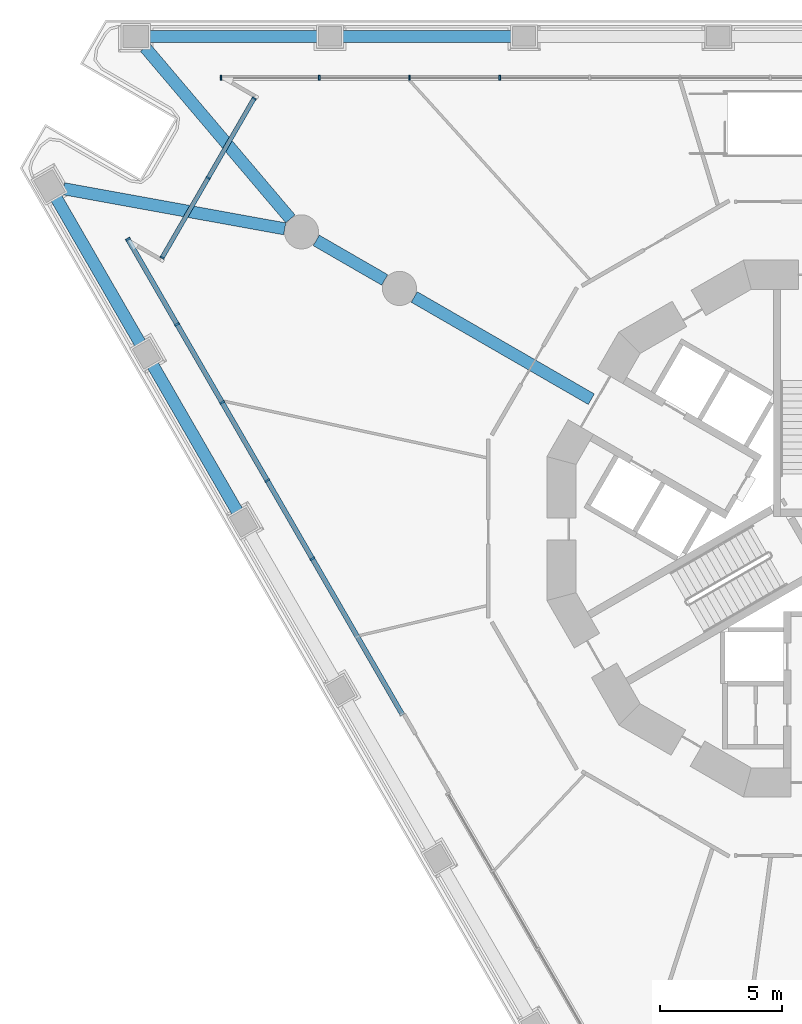
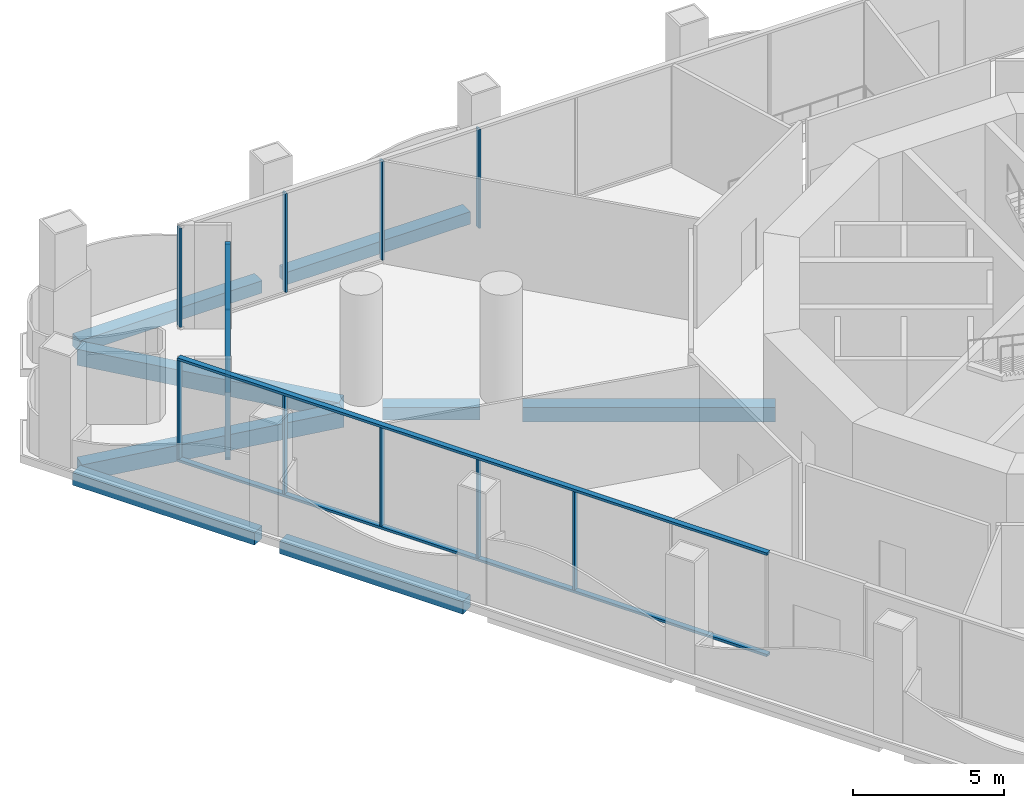
# One storey, part 5 of 21: 16 members, 8 beams, 3 elements without a shape of their own.
"""IFC4 building model written with IfcOpenShell, lengths in metres."""

from ifc_helpers import new_model, si_unit, direction, frame, origin, origin_2d, place, context, subcontext, project, spatial, rectangle, extrude, material, layer, layer_set, material_profile, profile_set, type_object, element, aggregate, save


model = new_model("IFC4")

# Units and contexts
model_context = context("Model", 3, precision=1e-05, world=origin(), true_north=direction((0.0, 1.0)))
body_context = subcontext(model_context, "Body", "Model", "MODEL_VIEW")
ifc_project = project(units=[si_unit("LENGTHUNIT", "METRE"), si_unit("AREAUNIT", "SQUARE_METRE"), si_unit("VOLUMEUNIT", "CUBIC_METRE"), si_unit("PLANEANGLEUNIT", "RADIAN"), si_unit("MASSUNIT", "GRAM", prefix="KILO")], contexts=[model_context])

# Site, building, storey
site_placement = place(None, origin())
site = spatial("IfcSite", under=ifc_project, at=site_placement, CompositionType="ELEMENT")
building_placement = place(site_placement, origin())
building = spatial("IfcBuilding", under=site, at=building_placement, Name="Trine Commons Tower", CompositionType="ELEMENT")
storey_placement = place(building_placement, frame((0.0, 0.0, 27.0)))
storey = spatial("IfcBuildingStorey", under=building, at=storey_placement, Name="L05", CompositionType="ELEMENT", Elevation=27.0)

# Curtain wall, members
ifc_material_1 = material(Name="Corner pocket glazing: anodised aluminium frame with low-emissivity double glazed unit, laminated", Category="aluminium")
ifc_layer_1 = layer(ifc_material_1, 0.179931640625)
ifc_layer_set_1 = layer_set([ifc_layer_1], Name="Corner pocket glazing: anodised aluminium frame with low-emissivity double glazed unit, laminated")
curtain_wall_type_1 = type_object("IfcCurtainWallType", Name="Corner pocket glazing curtain wall CW8", PredefinedType="NOTDEFINED", material=ifc_layer_set_1)
curtain_wall_1_placement = place(storey_placement, origin())
curtain_wall_1 = element("IfcCurtainWall", 1, at=curtain_wall_1_placement, inside=storey, type_object=curtain_wall_type_1, Name="Corner pocket glazing L05 P1.1", PredefinedType="NOTDEFINED")
ifc_material_2 = material(Name="Anodised aluminium, bronze finish", Category="aluminium")
ifc_material_profile_1 = material_profile(ifc_material_2, rectangle(XDim=0.179931640625, YDim=0.06494140625, at=origin_2d()), Name="Mullion 65x180")
ifc_profile_set_1 = profile_set([ifc_material_profile_1], Name="Anodised aluminium, bronze finish")
member_type_1 = type_object("IfcMemberType", Name="Mullion 65x180, Anodised aluminium, bronze finish", PredefinedType="MULLION", material=ifc_profile_set_1)
member_1_placement = place(storey_placement, frame((53.2099609375, 73.616943359375, 0.090087890625), z_axis=(0.0, 0.0, 1.0), x_axis=(-0.866025403784, 0.5, 0.0)))
member_1 = element("IfcMember", 2, at=member_1_placement, type_object=member_type_1, Name="CW8 mullion 1.1", PredefinedType="MULLION", context=body_context, shape_type="SweptSolid", body=[
    extrude(rectangle(XDim=0.179931640625, YDim=0.06494140625, at=origin_2d()), origin(), (0.0, 0.0, 1.0), 3.349853515625),
])
member_2_placement = place(storey_placement, frame((55.09375, 76.879638671875, 0.090087890625), z_axis=(0.0, 0.0, 1.0), x_axis=(-0.866025403784, 0.5, 0.0)))
member_2 = element("IfcMember", 3, at=member_2_placement, type_object=member_type_1, Name="CW8 mullion 2.1", PredefinedType="MULLION", context=body_context, shape_type="SweptSolid", body=[
    extrude(rectangle(XDim=0.179931640625, YDim=0.06494140625, at=origin_2d()), origin(), (0.0, 0.0, 1.0), 3.349853515625),
])
member_3_placement = place(storey_placement, frame((56.9775390625, 80.142333984375, 0.090087890625), z_axis=(0.0, 0.0, 1.0), x_axis=(-0.866025403784, 0.5, 0.0)))
member_3 = element("IfcMember", 4, at=member_3_placement, type_object=member_type_1, Name="CW8 mullion 3.1", PredefinedType="MULLION", context=body_context, shape_type="SweptSolid", body=[
    extrude(rectangle(XDim=0.179931640625, YDim=0.06494140625, at=origin_2d()), origin(), (0.0, 0.0, 1.0), 3.349853515625),
])

ifc_material_3 = material(Name="Podium glazing: anodised aluminium frame with low-emissivity double glazed unit", Category="aluminium")
ifc_layer_2 = layer(ifc_material_3, 0.199951171875)
ifc_layer_set_2 = layer_set([ifc_layer_2], Name="Podium glazing: anodised aluminium frame with low-emissivity double glazed unit")
curtain_wall_type_2 = type_object("IfcCurtainWallType", Name="Podium glazing curtain wall CW3", PredefinedType="NOTDEFINED", material=ifc_layer_set_2)
curtain_wall_2_placement = place(storey_placement, origin())
curtain_wall_2 = element("IfcCurtainWall", 5, at=curtain_wall_2_placement, inside=storey, type_object=curtain_wall_type_2, Name="Podium glazing L05 F1.1", PredefinedType="NOTDEFINED")
ifc_material_profile_2 = material_profile(ifc_material_2, rectangle(XDim=0.199951171875, YDim=0.074951171875, at=origin_2d()), Name="Mullion 75x200")
ifc_profile_set_2 = profile_set([ifc_material_profile_2], Name="Anodised aluminium, bronze finish")
member_type_2 = type_object("IfcMemberType", Name="Mullion 75x200, Anodised aluminium, bronze finish", PredefinedType="MULLION", material=ifc_profile_set_2)
member_4_placement = place(storey_placement, frame((55.62109375, 80.984619140625, 0.10009765625), z_axis=(0.0, 0.0, 1.0), x_axis=(0.0, 1.0, 0.0)))
member_4 = element("IfcMember", 6, at=member_4_placement, type_object=member_type_2, Name="CW3 mullion 1.1", PredefinedType="MULLION", context=body_context, shape_type="SweptSolid", body=[
    extrude(rectangle(XDim=0.199951171875, YDim=0.074951171875, at=origin_2d()), origin(), (0.0, 0.0, 1.0), 4.0),
])
member_5_placement = place(storey_placement, frame((59.65576171875, 80.984619140625, 0.10009765625), z_axis=(0.0, 0.0, 1.0), x_axis=(0.0, 1.0, 0.0)))
member_5 = element("IfcMember", 7, at=member_5_placement, type_object=member_type_2, Name="CW3 mullion 2.1", PredefinedType="MULLION", context=body_context, shape_type="SweptSolid", body=[
    extrude(rectangle(XDim=0.199951171875, YDim=0.074951171875, at=origin_2d()), origin(), (0.0, 0.0, 1.0), 4.0),
])
member_6_placement = place(storey_placement, frame((63.354736328125, 80.984619140625, 0.10009765625), z_axis=(0.0, 0.0, 1.0), x_axis=(0.0, 1.0, 0.0)))
member_6 = element("IfcMember", 8, at=member_6_placement, type_object=member_type_2, Name="CW3 mullion 3.1", PredefinedType="MULLION", context=body_context, shape_type="SweptSolid", body=[
    extrude(rectangle(XDim=0.199951171875, YDim=0.074951171875, at=origin_2d()), origin(), (0.0, 0.0, 1.0), 4.0),
])
member_7_placement = place(storey_placement, frame((67.0537109375, 80.984619140625, 0.10009765625), z_axis=(0.0, 0.0, 1.0), x_axis=(0.0, 1.0, 0.0)))
member_7 = element("IfcMember", 9, at=member_7_placement, type_object=member_type_2, Name="CW3 mullion 4.1", PredefinedType="MULLION", context=body_context, shape_type="SweptSolid", body=[
    extrude(rectangle(XDim=0.199951171875, YDim=0.074951171875, at=origin_2d()), origin(), (0.0, 0.0, 1.0), 4.0),
])
aggregate(curtain_wall_2, [member_4, member_5, member_6, member_7])

curtain_wall_3_placement = place(storey_placement, origin())
curtain_wall_3 = element("IfcCurtainWall", 10, at=curtain_wall_3_placement, inside=storey, type_object=curtain_wall_type_2, Name="Podium glazing L05 F3.2", PredefinedType="NOTDEFINED")
member_8_placement = place(storey_placement, frame((59.368408203125, 61.265869140625, 0.10009765625), z_axis=(0.0, 0.0, 1.0), x_axis=(-0.866025403784, -0.5, 0.0)))
member_8 = element("IfcMember", 11, at=member_8_placement, type_object=member_type_2, Name="CW3 mullion 3.1", PredefinedType="MULLION", context=body_context, shape_type="SweptSolid", body=[
    extrude(rectangle(XDim=0.199951171875, YDim=0.074951171875, at=origin_2d()), origin(), (0.0, 0.0, 1.0), 4.0),
])
member_9_placement = place(storey_placement, frame((57.518798828125, 64.46923828125, 0.10009765625), z_axis=(0.0, 0.0, 1.0), x_axis=(-0.866025403784, -0.5, 0.0)))
member_9 = element("IfcMember", 12, at=member_9_placement, type_object=member_type_2, Name="CW3 mullion 4.1", PredefinedType="MULLION", context=body_context, shape_type="SweptSolid", body=[
    extrude(rectangle(XDim=0.199951171875, YDim=0.074951171875, at=origin_2d()), origin(), (0.0, 0.0, 1.0), 4.0),
])
member_10_placement = place(storey_placement, frame((55.66943359375, 67.672607421875, 0.10009765625), z_axis=(0.0, 0.0, 1.0), x_axis=(-0.866025403784, -0.5, 0.0)))
member_10 = element("IfcMember", 13, at=member_10_placement, type_object=member_type_2, Name="CW3 mullion 5.1", PredefinedType="MULLION", context=body_context, shape_type="SweptSolid", body=[
    extrude(rectangle(XDim=0.199951171875, YDim=0.074951171875, at=origin_2d()), origin(), (0.0, 0.0, 1.0), 4.0),
])
member_11_placement = place(storey_placement, frame((53.820068359375, 70.8759765625, 0.10009765625), z_axis=(0.0, 0.0, 1.0), x_axis=(-0.866025403784, -0.5, 0.0)))
member_11 = element("IfcMember", 14, at=member_11_placement, type_object=member_type_2, Name="CW3 mullion 6.1", PredefinedType="MULLION", context=body_context, shape_type="SweptSolid", body=[
    extrude(rectangle(XDim=0.199951171875, YDim=0.074951171875, at=origin_2d()), origin(), (0.0, 0.0, 1.0), 4.0),
])
member_12_placement = place(storey_placement, frame((51.802490234375, 74.370361328125, 0.10009765625), z_axis=(0.0, 0.0, 1.0), x_axis=(-0.866025403784, -0.5, 0.0)))
member_12 = element("IfcMember", 15, at=member_12_placement, type_object=member_type_2, Name="CW3 mullion 7.1", PredefinedType="MULLION", context=body_context, shape_type="SweptSolid", body=[
    extrude(rectangle(XDim=0.199951171875, YDim=0.074951171875, at=origin_2d()), origin(), (0.0, 0.0, 1.0), 4.0),
])

# Beams
ifc_material_4 = material(Name="Concrete C50/60", Category="concrete")
ifc_material_profile_3 = material_profile(ifc_material_4, rectangle(XDim=0.5, YDim=0.5, at=origin_2d()), Name="RC 500x500")
ifc_profile_set_3 = profile_set([ifc_material_profile_3], Name="Concrete C50/60")
beam_type_1 = type_object("IfcBeamType", Name="RC beam 500x500, C50/60", PredefinedType="BEAM", material=ifc_profile_set_3)
beam_1_placement = place(storey_placement, frame((56.3095703125, 63.163818359375, -0.60009765625), z_axis=(-0.499991645397, 0.866030227263, 0.0), x_axis=(-0.866030227263, -0.499991645397, 0.0)))
element("IfcBeam", 16, at=beam_1_placement, inside=storey, type_object=beam_type_1, Name="Beam EB1-06 L05", PredefinedType="BEAM", context=body_context, shape_type="SweptSolid", body=[
    extrude(rectangle(XDim=0.5, YDim=0.5, at=origin_2d()), origin(), (0.0, 0.0, 1.0), 7.01318359375),
])
for number, where, z_axis, x_axis, name in (
    (17, (52.327880859375, 70.060302734375, -0.60009765625), (-0.49999660792, 0.866027362194, 0.0), (-0.866027362194, -0.49999660792, 0.0), "Beam EB1-07 L05"),
    (18, (52.6533203125, 82.6845703125, -0.60009765625), (1.0, 0.0, 0.0), (0.0, 1.0, 0.0), "Beam EB1-08 L05"),
):
    element("IfcBeam", number, at=place(storey_placement, frame(where, z_axis=z_axis, x_axis=x_axis)), inside=storey, type_object=beam_type_1, Name=name, PredefinedType="BEAM", context=body_context, shape_type="SweptSolid", body=[
        extrude(rectangle(XDim=0.5, YDim=0.5, at=origin_2d()), origin(), (0.0, 0.0, 1.0), 6.96337890625),
    ])
beam_2_placement = place(storey_placement, frame((60.566650390625, 82.6845703125, -0.60009765625), z_axis=(1.0, 0.0, 0.0), x_axis=(0.0, 1.0, 0.0)))
element("IfcBeam", 19, at=beam_2_placement, inside=storey, type_object=beam_type_1, Name="Beam EB1-09 L05", PredefinedType="BEAM", context=body_context, shape_type="SweptSolid", body=[
    extrude(rectangle(XDim=0.5, YDim=0.5, at=origin_2d()), origin(), (0.0, 0.0, 1.0), 7.01318359375),
])
beam_3_placement = place(storey_placement, frame((62.336181640625, 72.697998046875, -0.60009765625), z_axis=(-0.865996235589, 0.500050517394, 0.0), x_axis=(-0.500050517394, -0.865996235589, 0.0)))
element("IfcBeam", 20, at=beam_3_placement, inside=storey, type_object=beam_type_1, Name="Beam RB1-06 L05", PredefinedType="BEAM", context=body_context, shape_type="SweptSolid", body=[
    extrude(rectangle(XDim=0.5, YDim=0.5, at=origin_2d()), origin(), (0.0, 0.0, 1.0), 3.242431640625),
])
ifc_material_profile_4 = material_profile(ifc_material_4, rectangle(XDim=0.5, YDim=0.60009765625, at=origin_2d()), Name="RC 500x600")
ifc_profile_set_4 = profile_set([ifc_material_profile_4], Name="Concrete C50/60")
beam_type_2 = type_object("IfcBeamType", Name="RC beam 500x600, C50/60", PredefinedType="BEAM", material=ifc_profile_set_4)
beam_4_placement = place(storey_placement, frame((70.81005859375, 67.805908203125, -0.64990234375), z_axis=(-0.866038208851, 0.499977820318, 0.0), x_axis=(-0.499977820318, -0.866038208851, 0.0)))
element("IfcBeam", 21, at=beam_4_placement, inside=storey, type_object=beam_type_2, Name="Beam RB1-05 L05", PredefinedType="BEAM", context=body_context, shape_type="SweptSolid", body=[
    extrude(rectangle(XDim=0.5, YDim=0.60009765625, at=origin_2d()), origin(), (0.0, 0.0, 1.0), 8.38623046875),
])
ifc_material_profile_5 = material_profile(ifc_material_4, rectangle(XDim=0.5, YDim=0.64990234375, at=origin_2d()), Name="RC 500x650")
ifc_profile_set_5 = profile_set([ifc_material_profile_5], Name="Concrete C50/60")
beam_type_3 = type_object("IfcBeamType", Name="RC beam 500x650, C50/60", PredefinedType="BEAM", material=ifc_profile_set_5)
for number, where, z_axis, x_axis, name in (
    (22, (49.1640625, 76.440185546875, -0.675048828125), (0.983921563764, -0.178601109628, 0.0), (0.178601109628, 0.983921563764, 0.0), "Beam CB1-01 L05"),
    (23, (52.509521484375, 82.234619140625, -0.675048828125), (0.646611559024, -0.762819435867, 0.0), (0.762819435867, 0.646611559024, 0.0), "Beam CB1-02 L05"),
):
    element("IfcBeam", number, at=place(storey_placement, frame(where, z_axis=z_axis, x_axis=x_axis)), inside=storey, type_object=beam_type_3, Name=name, PredefinedType="BEAM", context=body_context, shape_type="SweptSolid", body=[
        extrude(rectangle(XDim=0.5, YDim=0.64990234375, at=origin_2d()), origin(), (0.0, 0.0, 1.0), 9.21875),
    ])

# Member
ifc_material_profile_6 = material_profile(ifc_material_2, rectangle(XDim=0.199951171875, YDim=0.10009765625, at=origin_2d()), Name="Transom 100x200")
ifc_profile_set_6 = profile_set([ifc_material_profile_6], Name="Anodised aluminium, bronze finish")
member_type_3 = type_object("IfcMemberType", Name="Transom 100x200, Anodised aluminium, bronze finish", PredefinedType="USERDEFINED", material=ifc_profile_set_6)
member_13_placement = place(storey_placement, frame((63.067138671875, 54.859130859375, 0.050048828125), z_axis=(-0.499996215711, 0.866027588634, 0.0), x_axis=(-0.866027588634, -0.499996215711, 0.0)))
member_13 = element("IfcMember", 24, at=member_13_placement, type_object=member_type_3, Name="CW3 transom T00", ObjectType="TRANSOM", PredefinedType="USERDEFINED", context=body_context, shape_type="SweptSolid", body=[
    extrude(rectangle(XDim=0.199951171875, YDim=0.10009765625, at=origin_2d()), origin(), (0.0, 0.0, 1.0), 22.567138671875),
])

member_14_placement = place(storey_placement, frame((63.067138671875, 54.859130859375, 4.14990234375), z_axis=(-0.499996215711, 0.866027588634, 0.0), x_axis=(-0.866027588634, -0.499996215711, 0.0)))
member_14 = element("IfcMember", 25, at=member_14_placement, type_object=member_type_3, Name="CW3 transom TH00", ObjectType="TRANSOM", PredefinedType="USERDEFINED", context=body_context, shape_type="SweptSolid", body=[
    extrude(rectangle(XDim=0.199951171875, YDim=0.10009765625, at=origin_2d()), origin(), (0.0, 0.0, 1.0), 22.567138671875),
])

aggregate(curtain_wall_3, [member_13, member_14, member_8, member_9, member_10, member_11, member_12])

ifc_material_profile_7 = material_profile(ifc_material_2, rectangle(XDim=0.179931640625, YDim=0.090087890625, at=origin_2d()), Name="Transom 90x180")
ifc_profile_set_7 = profile_set([ifc_material_profile_7], Name="Anodised aluminium, bronze finish")
member_type_4 = type_object("IfcMemberType", Name="Transom 90x180, Anodised aluminium, bronze finish", PredefinedType="USERDEFINED", material=ifc_profile_set_7)
member_15_placement = place(storey_placement, frame((53.19384765625, 73.588623046875, 0.044921875), z_axis=(0.500005158081, 0.866022425744, 0.0), x_axis=(-0.866022425744, 0.500005158081, 0.0)))
member_15 = element("IfcMember", 26, at=member_15_placement, type_object=member_type_4, Name="CW8 transom T00", ObjectType="TRANSOM", PredefinedType="USERDEFINED", context=body_context, shape_type="SweptSolid", body=[
    extrude(rectangle(XDim=0.179931640625, YDim=0.090087890625, at=origin_2d()), origin(), (0.0, 0.0, 1.0), 7.60009765625),
])

member_16_placement = place(storey_placement, frame((53.19384765625, 73.588623046875, 3.485107421875), z_axis=(0.500005158081, 0.866022425744, 0.0), x_axis=(-0.866022425744, 0.500005158081, 0.0)))
member_16 = element("IfcMember", 27, at=member_16_placement, type_object=member_type_4, Name="CW8 transom TH00", ObjectType="TRANSOM", PredefinedType="USERDEFINED", context=body_context, shape_type="SweptSolid", body=[
    extrude(rectangle(XDim=0.179931640625, YDim=0.090087890625, at=origin_2d()), origin(), (0.0, 0.0, 1.0), 7.60009765625),
])

aggregate(curtain_wall_1, [member_15, member_16, member_1, member_2, member_3])

save(model, "model.ifc")
